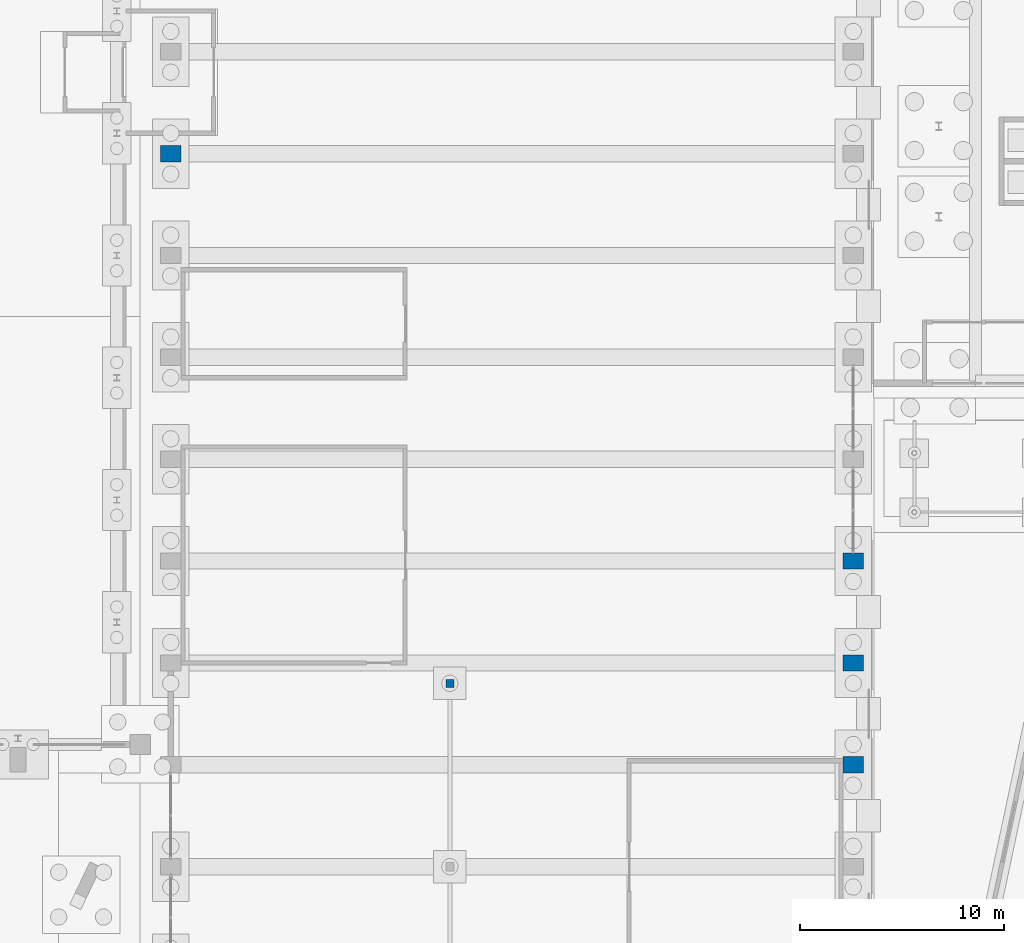
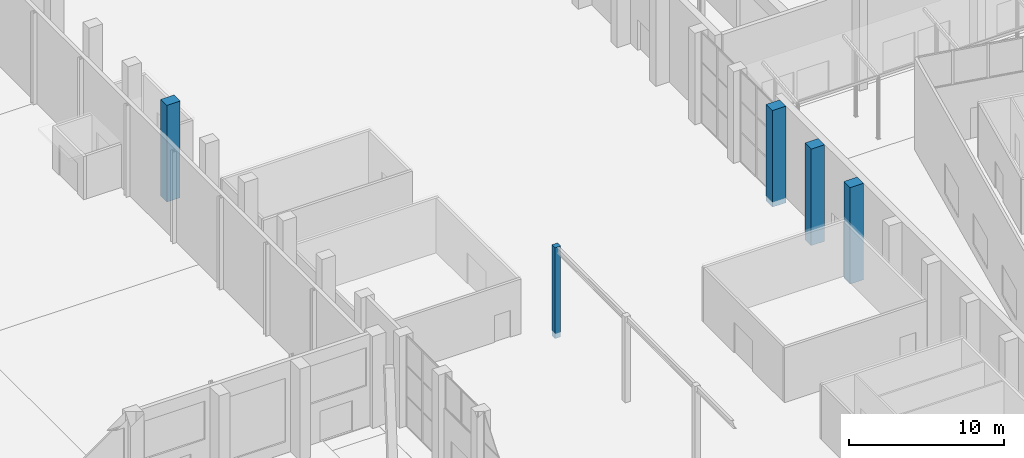
# One storey, part 36 of 239: 5 columns.
"""IFC4 building model written with IfcOpenShell, lengths in metres."""

from ifc_helpers import new_model, si_unit, direction, frame, origin, origin_2d, place, context, subcontext, project, spatial, rectangle, extrude, material, material_profile, profile_set, type_object, element, save


model = new_model("IFC4")

# Units and contexts
model_context = context("Model", 3, precision=1e-05, world=origin(), true_north=direction((0.0, 1.0)))
body_context = subcontext(model_context, "Body", "Model", "MODEL_VIEW")
ifc_project = project(units=[si_unit("LENGTHUNIT", "METRE"), si_unit("AREAUNIT", "SQUARE_METRE"), si_unit("VOLUMEUNIT", "CUBIC_METRE"), si_unit("PLANEANGLEUNIT", "RADIAN"), si_unit("MASSUNIT", "GRAM", prefix="KILO")], contexts=[model_context])

# Site, building, storey
site_placement = place(None, origin())
site = spatial("IfcSite", under=ifc_project, at=site_placement, CompositionType="ELEMENT")
building_placement = place(site_placement, origin())
building = spatial("IfcBuilding", under=site, at=building_placement, Name="Okhra Congress Centre", CompositionType="ELEMENT")
storey_placement = place(building_placement, origin())
storey = spatial("IfcBuildingStorey", under=building, at=storey_placement, Name="L00", CompositionType="ELEMENT", Elevation=0.0)

# Columns
ifc_material = material(Name="Concrete C40/50", Category="concrete")
ifc_material_profile_1 = material_profile(ifc_material, rectangle(XDim=0.39990234375, YDim=0.39990234375, at=origin_2d()), Name="RC 400x400")
ifc_profile_set_1 = profile_set([ifc_material_profile_1], Name="Concrete C40/50")
column_type_1 = type_object("IfcColumnType", Name="RC column 400x400 C40/50", PredefinedType="COLUMN", material=ifc_profile_set_1)
column_placement = place(storey_placement, frame((169.199951171875, 135.0, -0.39990234375), z_axis=(0.0, 0.0, 1.0), x_axis=(1.0, 0.0, 0.0)))
element("IfcColumn", 1, at=column_placement, inside=storey, type_object=column_type_1, Name="Gallery column 5", PredefinedType="COLUMN", context=body_context, shape_type="SweptSolid", body=[
    extrude(rectangle(XDim=0.39990234375, YDim=0.39990234375, at=origin_2d()), origin(), (0.0, 0.0, 1.0), 7.14990234375),
])
ifc_material_profile_2 = material_profile(ifc_material, rectangle(XDim=1.0, YDim=0.800048828125, at=origin_2d()), Name="RC 1000x800")
ifc_profile_set_2 = profile_set([ifc_material_profile_2], Name="Concrete C40/50")
column_type_2 = type_object("IfcColumnType", Name="RC pier 1000x800 C40/50", PredefinedType="COLUMN", material=ifc_profile_set_2)
for number, where, z_axis, x_axis, name in (
    (2, (189.0, 131.0, -0.39990234375), (0.0, 0.0, 1.0), (1.0, 0.0, 0.0), "WG.COL.L00.pier-E11"),
    (3, (189.0, 136.0, -0.39990234375), (0.0, 0.0, 1.0), (1.0, 0.0, 0.0), "WG.COL.L00.pier-E12"),
    (4, (189.0, 141.0, -0.39990234375), (0.0, 0.0, 1.0), (1.0, 0.0, 0.0), "WG.COL.L00.pier-E13"),
    (5, (155.5, 161.0, -0.39990234375), (0.0, 0.0, 1.0), (1.0, 0.0, 0.0), "WG.COL.L00.pier-W17"),
):
    element("IfcColumn", number, at=place(storey_placement, frame(where, z_axis=z_axis, x_axis=x_axis)), inside=storey, type_object=column_type_2, Name=name, PredefinedType="COLUMN", context=body_context, shape_type="SweptSolid", body=[
        extrude(rectangle(XDim=1.0, YDim=0.800048828125, at=origin_2d()), origin(), (0.0, 0.0, 1.0), 7.599853515625),
    ])

save(model, "model.ifc")
